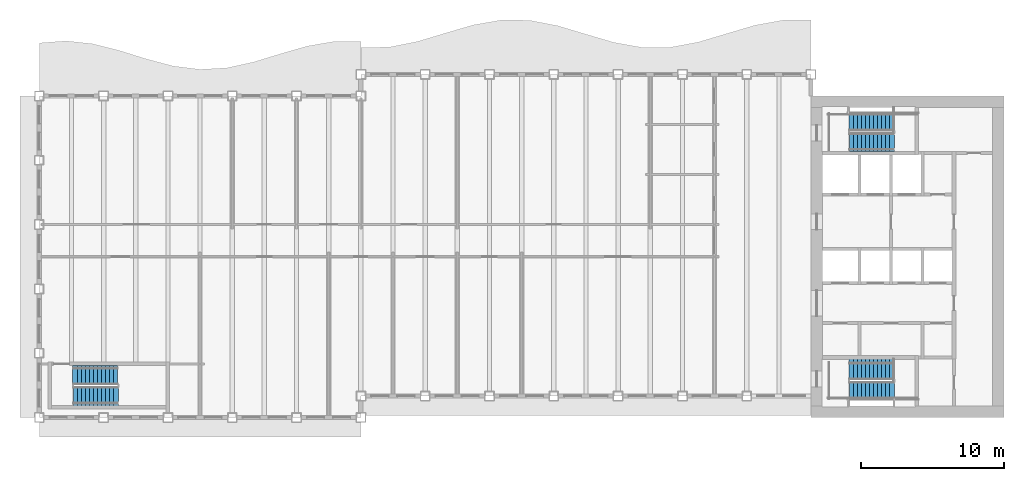
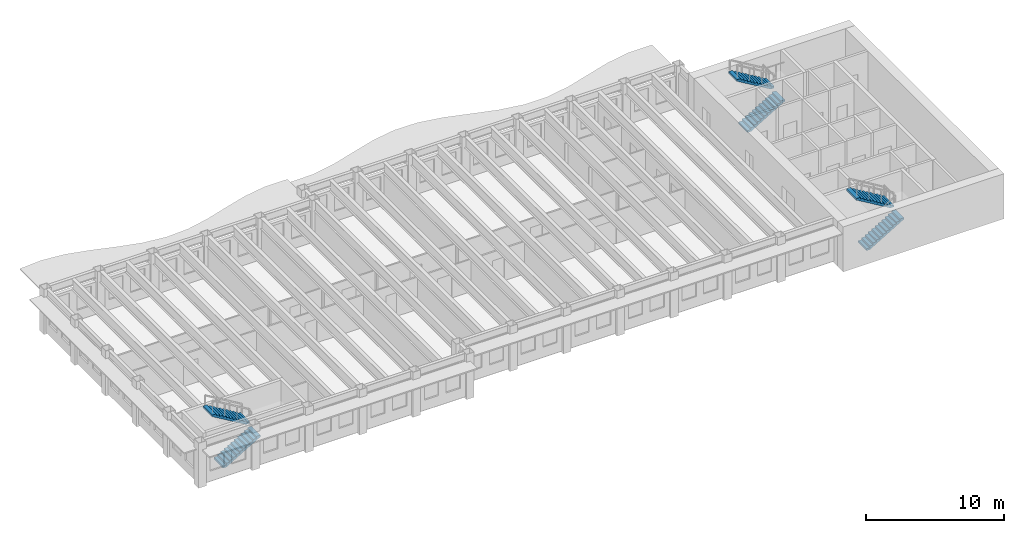
# One storey, part 7 of 12: 6 stair flights, 3 elements without a shape of their own.
"""IFC4 building model written with IfcOpenShell, lengths in metres."""

import ifcopenshell
import ifcopenshell.guid

model = None  # the IFC model being written
_history = None  # IfcOwnerHistory: only IFC2X3 demands one
_inside = {}  # id of a spatial element -> (the spatial element, [elements in it])
_under = {}  # id of a project, library or spatial element -> (it, [spatial elements below it])
_declared = {}  # id of a project -> (the project, [libraries it declares])
_typed = {}  # id of a type object -> (the type object, [elements of that type])
_made_of = {}  # id of a material, layer set ... -> (it, [elements and type objects made of it])


def new_model(schema):
    """Start an empty IFC model of exactly this schema.

    Asked for "IFC4X3", IfcOpenShell would pick the latest addendum, in which some entities
    have other attributes; the version numbers below select the first issue.
    IFC2X3 requires an IfcOwnerHistory on every rooted entity: one is made here for all.
    """
    global model, _history
    if schema == "IFC4X3":
        model = ifcopenshell.file(schema_version=(4, 3, 0, 0))
    else:
        model = ifcopenshell.file(schema=schema)
    _inside.clear()
    _under.clear()
    _declared.clear()
    _typed.clear()
    _made_of.clear()
    _history = None
    if model.schema == "IFC2X3":
        org = make("IfcOrganization", Name="unknown")
        user = make(
            "IfcPersonAndOrganization",
            ThePerson=make("IfcPerson", FamilyName="unknown"),
            TheOrganization=org,
        )
        app = make(
            "IfcApplication",
            ApplicationDeveloper=org,
            Version="unknown",
            ApplicationFullName="unknown",
            ApplicationIdentifier="unknown",
        )
        _history = make(
            "IfcOwnerHistory",
            OwningUser=user,
            OwningApplication=app,
            ChangeAction="ADDED",
            CreationDate=0,
        )
    return model


def make(cls, **values):
    """One entity of the class cls with the attributes given. An attribute that is None is left unset."""
    return model.create_entity(
        cls, **{name: value for name, value in values.items() if value is not None}
    )


def rooted(cls, **values):
    """An entity with a GlobalId (a new one), such as an element, a storey or a relation."""
    return make(cls, GlobalId=ifcopenshell.guid.new(), OwnerHistory=_history, **values)


def si_unit(unit_type, name, prefix=None):
    """IfcSIUnit, for example si_unit("LENGTHUNIT", "METRE", prefix="MILLI")."""
    return make("IfcSIUnit", UnitType=unit_type, Prefix=prefix, Name=name)


def assignment(units):
    """IfcUnitAssignment: the units of a project."""
    return None if units is None else make("IfcUnitAssignment", Units=units)


def point(xyz):
    """IfcCartesianPoint."""
    return None if xyz is None else make("IfcCartesianPoint", Coordinates=xyz)


def direction(xyz):
    """IfcDirection."""
    return None if xyz is None else make("IfcDirection", DirectionRatios=xyz)


def frame(location, z_axis=None, x_axis=None):
    """IfcAxis2Placement3D, a coordinate frame: its origin and axes. An axis left out is left unset."""
    return make(
        "IfcAxis2Placement3D",
        Location=point(location),
        Axis=direction(z_axis),
        RefDirection=direction(x_axis),
    )


def origin():
    """The frame at (0, 0, 0) with its axes left unset."""
    return frame((0.0, 0.0, 0.0))


def place(relative_to, where):
    """IfcLocalPlacement: puts the frame where relative to a parent placement (None: the world)."""
    return make(
        "IfcLocalPlacement", PlacementRelTo=relative_to, RelativePlacement=where
    )


def context(
    kind, dimensions, precision=None, world=None, true_north=None, identifier=None
):
    """IfcGeometricRepresentationContext, for example the 3D "Model" context."""
    return make(
        "IfcGeometricRepresentationContext",
        ContextIdentifier=identifier,
        ContextType=kind,
        CoordinateSpaceDimension=dimensions,
        Precision=precision,
        WorldCoordinateSystem=world,
        TrueNorth=true_north,
    )


def subcontext(parent, identifier, kind, view, scale=None):
    """IfcGeometricRepresentationSubContext, for example "Body" below "Model"."""
    return make(
        "IfcGeometricRepresentationSubContext",
        ContextIdentifier=identifier,
        ContextType=kind,
        ParentContext=parent,
        TargetScale=scale,
        TargetView=view,
    )


def project(units=None, contexts=None):
    """IfcProject with its units and contexts."""
    return rooted(
        "IfcProject",
        Name="project",
        RepresentationContexts=contexts,
        UnitsInContext=assignment(units),
    )


def spatial(cls, under=None, at=None, **own):
    """A site, building, storey or space (cls), placed at a placement, below another one or the project."""
    s = rooted(cls, ObjectPlacement=at, **own)
    if under is not None:
        _under.setdefault(under.id(), (under, []))[1].append(s)
    return s


def polyline(points):
    """IfcPolyline through the points."""
    return make("IfcPolyline", Points=[point(p) for p in points])


def outline(outer, holes=None, kind="AREA"):
    """IfcArbitraryClosedProfileDef: a profile drawn as a closed curve; with holes, ...WithVoids."""
    if holes is None:
        return make("IfcArbitraryClosedProfileDef", ProfileType=kind, OuterCurve=outer)
    return make(
        "IfcArbitraryProfileDefWithVoids",
        ProfileType=kind,
        OuterCurve=outer,
        InnerCurves=holes,
    )


def extrude(swept, where, along, depth):
    """IfcExtrudedAreaSolid: the profile swept, set in the frame where, extruded along a direction by depth."""
    return make(
        "IfcExtrudedAreaSolid",
        SweptArea=swept,
        Position=where,
        ExtrudedDirection=direction(along),
        Depth=depth,
    )


def shape(context_of_items, identifier, shape_type, items):
    """IfcShapeRepresentation: the items that make up one representation, for example the "Body"."""
    return make(
        "IfcShapeRepresentation",
        ContextOfItems=context_of_items,
        RepresentationIdentifier=identifier,
        RepresentationType=shape_type,
        Items=items,
    )


def material(Name=None, Category=None):
    """IfcMaterial."""
    return make("IfcMaterial", Name=Name, Category=Category)


def made_of(thing, what):
    """Note that an element or type object is made of a material, layer set ...; save() writes the relation."""
    if what is not None:
        _made_of.setdefault(what.id(), (what, []))[1].append(thing)
    return thing


def type_object(cls, material=None, **own):
    """A type object (cls), such as IfcWallType, which elements share."""
    return made_of(rooted(cls, **own), material)


def element(
    cls,
    number,
    at=None,
    inside=None,
    cuts=None,
    type_object=None,
    material=None,
    context=None,
    identifier="Body",
    shape_type=None,
    held_by="IfcProductDefinitionShape",
    body=None,
    shapes=None,
    **own,
):
    """One element of the class cls, such as IfcWall. Its Tag is "e" and its number.

    at: its placement. inside: the storey or other place that contains it. cuts: it is an
    opening in that element (IfcRelVoidsElement). A single representation is given by context,
    identifier, shape_type and body (its items); several are given by shapes. held_by: the class
    of the entity that holds the representations. save() writes the other relations.
    """
    e = rooted(cls, Tag="e%d" % number, ObjectPlacement=at, **own)
    if body is not None:
        shapes = [shape(context, identifier, shape_type, body)]
    if shapes is not None:
        e.Representation = make(held_by, Representations=shapes)
    if inside is not None:
        _inside.setdefault(inside.id(), (inside, []))[1].append(e)
    if cuts is not None:
        rooted(
            "IfcRelVoidsElement", RelatingBuildingElement=cuts, RelatedOpeningElement=e
        )
    if type_object is not None:
        _typed.setdefault(type_object.id(), (type_object, []))[1].append(e)
    return made_of(e, material)


def aggregate(whole, parts):
    """IfcRelAggregates: a whole, such as a stair, and the parts it consists of."""
    return rooted("IfcRelAggregates", RelatingObject=whole, RelatedObjects=parts)


def save(model, path):
    """Write the relations noted so far, then the file.

    IfcRelAggregates (storeys below a building ...), IfcRelContainedInSpatialStructure (elements
    in a storey), IfcRelDefinesByType, IfcRelAssociatesMaterial and IfcRelDeclares: one each for
    every whole, place, type object, material and project.
    """
    for whole, parts in _under.values():
        aggregate(whole, parts)
    for where, things in _inside.values():
        rooted(
            "IfcRelContainedInSpatialStructure",
            RelatedElements=things,
            RelatingStructure=where,
        )
    for kind, things in _typed.values():
        rooted("IfcRelDefinesByType", RelatedObjects=things, RelatingType=kind)
    for what, things in _made_of.values():
        rooted("IfcRelAssociatesMaterial", RelatedObjects=things, RelatingMaterial=what)
    for by, libraries in _declared.values():
        rooted("IfcRelDeclares", RelatingContext=by, RelatedDefinitions=libraries)
    model.write(path)


model = new_model("IFC4")

# Units and contexts
model_context = context("Model", 3, precision=1e-05, world=origin(), true_north=direction((0.0, 1.0)))
body_context = subcontext(model_context, "Body", "Model", "MODEL_VIEW")
ifc_project = project(units=[si_unit("LENGTHUNIT", "METRE"), si_unit("AREAUNIT", "SQUARE_METRE"), si_unit("VOLUMEUNIT", "CUBIC_METRE"), si_unit("PLANEANGLEUNIT", "RADIAN"), si_unit("MASSUNIT", "GRAM", prefix="KILO")], contexts=[model_context])

# Site, building, storey
site_placement = place(None, origin())
site = spatial("IfcSite", under=ifc_project, at=site_placement, CompositionType="ELEMENT")
building_placement = place(site_placement, origin())
building = spatial("IfcBuilding", under=site, at=building_placement, Name="Sennacour Bend Tower", CompositionType="ELEMENT")
storey_placement = place(building_placement, frame((0.0, 0.0, 265.0)))
storey = spatial("IfcBuildingStorey", under=building, at=storey_placement, Name="L61", CompositionType="ELEMENT", Elevation=265.0)

# Stair, stair flights
ifc_material = material(Name="Concrete C40/50", Category="concrete")
stair_type = type_object("IfcStairType", Name="ST-DOGLEG", PredefinedType="HALF_TURN_STAIR", material=ifc_material)
stair_1_placement = place(storey_placement, origin())
stair_1 = element("IfcStair", 1, at=stair_1_placement, inside=storey, type_object=stair_type, Name="L61 Exit stair A1", PredefinedType="HALF_TURN_STAIR")
stair_flight_type = type_object("IfcStairFlightType", Name="SFL-RC", PredefinedType="STRAIGHT", material=ifc_material)
stair_flight_1_placement = place(storey_placement, frame((56.699951171875, 1.89990234375, 0.0), z_axis=(0.0, 0.0, 1.0), x_axis=(1.0, 0.0, 0.0)))
stair_flight_1 = element("IfcStairFlight", 2, at=stair_flight_1_placement, type_object=stair_flight_type, Name="SA1 flight 1", NumberOfRisers=12, NumberOfTreads=11, PredefinedType="STRAIGHT", RiserHeight=0.166666667, TreadLength=0.28, context=body_context, shape_type="SweptSolid", body=[
    extrude(outline(polyline([(0.0, 0.0), (0.0, 0.166748046875), (0.280029296875, 0.166748046875), (0.280029296875, 0.333251953125), (0.56005859375, 0.333251953125), (0.56005859375, 0.5), (0.840087890625, 0.5), (0.840087890625, 0.666748046875), (1.1201171875, 0.666748046875), (1.1201171875, 0.833251953125), (1.39990234375, 0.833251953125), (1.39990234375, 1.0), (1.679931640625, 1.0), (1.679931640625, 1.166748046875), (1.9599609375, 1.166748046875), (1.9599609375, 1.333251953125), (2.239990234375, 1.333251953125), (2.239990234375, 1.5), (2.52001953125, 1.5), (2.52001953125, 1.666748046875), (2.800048828125, 1.666748046875), (2.800048828125, 1.833251953125), (3.080078125, 1.833251953125), (3.139892578125, 1.833251953125), (3.139892578125, 1.658935546875), (3.080078125, 1.658935546875), (0.29296875, 0.0), (0.0, 0.0)])), frame((0.0, 0.60009765625, 0.0), z_axis=(0.0, -1.0, 0.0), x_axis=(1.0, 0.0, 0.0)), (0.0, 0.0, 1.0), 1.199951171875),
])
stair_flight_2_placement = place(storey_placement, frame((59.780029296875, 3.37744140625, 2.0), z_axis=(0.0, 0.0, 1.0), x_axis=(-1.0, 0.0, 0.0)))
stair_flight_2 = element("IfcStairFlight", 3, at=stair_flight_2_placement, type_object=stair_flight_type, Name="SA1 flight 2", NumberOfRisers=12, NumberOfTreads=11, PredefinedType="STRAIGHT", RiserHeight=0.166666667, TreadLength=0.28, context=body_context, shape_type="SweptSolid", body=[
    extrude(outline(polyline([(0.0, 0.0), (0.0, 0.166748046875), (0.280029296875, 0.166748046875), (0.280029296875, 0.333251953125), (0.56005859375, 0.333251953125), (0.56005859375, 0.5), (0.840087890625, 0.5), (0.840087890625, 0.666748046875), (1.1201171875, 0.666748046875), (1.1201171875, 0.833251953125), (1.39990234375, 0.833251953125), (1.39990234375, 1.0), (1.679931640625, 1.0), (1.679931640625, 1.166748046875), (1.9599609375, 1.166748046875), (1.9599609375, 1.333251953125), (2.239990234375, 1.333251953125), (2.239990234375, 1.5), (2.52001953125, 1.5), (2.52001953125, 1.666748046875), (2.800048828125, 1.666748046875), (2.800048828125, 1.833251953125), (3.080078125, 1.833251953125), (3.139892578125, 1.833251953125), (3.139892578125, 1.658935546875), (3.080078125, 1.658935546875), (0.29296875, 0.0), (0.0, 0.0)])), frame((0.0, 0.7275390625, 0.0), z_axis=(0.0, -1.0, 0.0), x_axis=(1.0, 0.0, 0.0)), (0.0, 0.0, 1.0), 1.455078125),
])
aggregate(stair_1, [stair_flight_1, stair_flight_2])

stair_2_placement = place(storey_placement, origin())
stair_2 = element("IfcStair", 4, at=stair_2_placement, inside=storey, type_object=stair_type, Name="L61 Exit stair A2", PredefinedType="HALF_TURN_STAIR")
stair_flight_3_placement = place(storey_placement, frame((56.699951171875, 19.24755859375, 0.0), z_axis=(0.0, 0.0, 1.0), x_axis=(1.0, 0.0, 0.0)))
stair_flight_3 = element("IfcStairFlight", 5, at=stair_flight_3_placement, type_object=stair_flight_type, Name="SA2 flight 1", NumberOfRisers=12, NumberOfTreads=11, PredefinedType="STRAIGHT", RiserHeight=0.166666667, TreadLength=0.28, context=body_context, shape_type="SweptSolid", body=[
    extrude(outline(polyline([(0.0, 0.0), (0.0, 0.166748046875), (0.280029296875, 0.166748046875), (0.280029296875, 0.333251953125), (0.56005859375, 0.333251953125), (0.56005859375, 0.5), (0.840087890625, 0.5), (0.840087890625, 0.666748046875), (1.1201171875, 0.666748046875), (1.1201171875, 0.833251953125), (1.39990234375, 0.833251953125), (1.39990234375, 1.0), (1.679931640625, 1.0), (1.679931640625, 1.166748046875), (1.9599609375, 1.166748046875), (1.9599609375, 1.333251953125), (2.239990234375, 1.333251953125), (2.239990234375, 1.5), (2.52001953125, 1.5), (2.52001953125, 1.666748046875), (2.800048828125, 1.666748046875), (2.800048828125, 1.833251953125), (3.080078125, 1.833251953125), (3.139892578125, 1.833251953125), (3.139892578125, 1.658935546875), (3.080078125, 1.658935546875), (0.29296875, 0.0), (0.0, 0.0)])), frame((0.0, 0.65234375, 0.0), z_axis=(0.0, -1.0, 0.0), x_axis=(1.0, 0.0, 0.0)), (0.0, 0.0, 1.0), 1.304931640625),
])
stair_flight_4_placement = place(storey_placement, frame((59.780029296875, 20.64990234375, 2.0), z_axis=(0.0, 0.0, 1.0), x_axis=(-1.0, 0.0, 0.0)))
stair_flight_4 = element("IfcStairFlight", 6, at=stair_flight_4_placement, type_object=stair_flight_type, Name="SA2 flight 2", NumberOfRisers=12, NumberOfTreads=11, PredefinedType="STRAIGHT", RiserHeight=0.166666667, TreadLength=0.28, context=body_context, shape_type="SweptSolid", body=[
    extrude(outline(polyline([(0.0, 0.0), (0.0, 0.166748046875), (0.280029296875, 0.166748046875), (0.280029296875, 0.333251953125), (0.56005859375, 0.333251953125), (0.56005859375, 0.5), (0.840087890625, 0.5), (0.840087890625, 0.666748046875), (1.1201171875, 0.666748046875), (1.1201171875, 0.833251953125), (1.39990234375, 0.833251953125), (1.39990234375, 1.0), (1.679931640625, 1.0), (1.679931640625, 1.166748046875), (1.9599609375, 1.166748046875), (1.9599609375, 1.333251953125), (2.239990234375, 1.333251953125), (2.239990234375, 1.5), (2.52001953125, 1.5), (2.52001953125, 1.666748046875), (2.800048828125, 1.666748046875), (2.800048828125, 1.833251953125), (3.080078125, 1.833251953125), (3.139892578125, 1.833251953125), (3.139892578125, 1.658935546875), (3.080078125, 1.658935546875), (0.29296875, 0.0), (0.0, 0.0)])), frame((0.0, 0.60009765625, 0.0), z_axis=(0.0, -1.0, 0.0), x_axis=(1.0, 0.0, 0.0)), (0.0, 0.0, 1.0), 1.199951171875),
])
aggregate(stair_2, [stair_flight_3, stair_flight_4])

stair_3_placement = place(storey_placement, origin())
stair_3 = element("IfcStair", 7, at=stair_3_placement, inside=storey, type_object=stair_type, Name="L61 Exit stair K1", PredefinedType="HALF_TURN_STAIR")
stair_flight_5_placement = place(storey_placement, frame((2.39990234375, 1.485107421875, 0.0), z_axis=(0.0, 0.0, 1.0), x_axis=(1.0, 0.0, 0.0)))
stair_flight_5 = element("IfcStairFlight", 8, at=stair_flight_5_placement, type_object=stair_flight_type, Name="SK1 flight 1", NumberOfRisers=12, NumberOfTreads=11, PredefinedType="STRAIGHT", RiserHeight=0.166666667, TreadLength=0.28, context=body_context, shape_type="SweptSolid", body=[
    extrude(outline(polyline([(0.0, 0.0), (0.0, 0.166748046875), (0.280029296875, 0.166748046875), (0.280029296875, 0.333251953125), (0.56005859375, 0.333251953125), (0.56005859375, 0.5), (0.840087890625, 0.5), (0.840087890625, 0.666748046875), (1.1201171875, 0.666748046875), (1.1201171875, 0.833251953125), (1.39990234375, 0.833251953125), (1.39990234375, 1.0), (1.679931640625, 1.0), (1.679931640625, 1.166748046875), (1.9599609375, 1.166748046875), (1.9599609375, 1.333251953125), (2.239990234375, 1.333251953125), (2.239990234375, 1.5), (2.52001953125, 1.5), (2.52001953125, 1.666748046875), (2.800048828125, 1.666748046875), (2.800048828125, 1.833251953125), (3.080078125, 1.833251953125), (3.139892578125, 1.833251953125), (3.139892578125, 1.658935546875), (3.080078125, 1.658935546875), (0.29296875, 0.0), (0.0, 0.0)])), frame((0.0, 0.6650390625, 0.0), z_axis=(0.0, -1.0, 0.0), x_axis=(1.0, 0.0, 0.0)), (0.0, 0.0, 1.0), 1.330078125),
])
stair_flight_6_placement = place(storey_placement, frame((5.47998046875, 2.9775390625, 2.0), z_axis=(0.0, 0.0, 1.0), x_axis=(-1.0, 0.0, 0.0)))
stair_flight_6 = element("IfcStairFlight", 9, at=stair_flight_6_placement, type_object=stair_flight_type, Name="SK1 flight 2", NumberOfRisers=12, NumberOfTreads=11, PredefinedType="STRAIGHT", RiserHeight=0.166666667, TreadLength=0.28, context=body_context, shape_type="SweptSolid", body=[
    extrude(outline(polyline([(0.0, 0.0), (0.0, 0.166748046875), (0.280029296875, 0.166748046875), (0.280029296875, 0.333251953125), (0.56005859375, 0.333251953125), (0.56005859375, 0.5), (0.840087890625, 0.5), (0.840087890625, 0.666748046875), (1.1201171875, 0.666748046875), (1.1201171875, 0.833251953125), (1.39990234375, 0.833251953125), (1.39990234375, 1.0), (1.679931640625, 1.0), (1.679931640625, 1.166748046875), (1.9599609375, 1.166748046875), (1.9599609375, 1.333251953125), (2.239990234375, 1.333251953125), (2.239990234375, 1.5), (2.52001953125, 1.5), (2.52001953125, 1.666748046875), (2.800048828125, 1.666748046875), (2.800048828125, 1.833251953125), (3.080078125, 1.833251953125), (3.139892578125, 1.833251953125), (3.139892578125, 1.658935546875), (3.080078125, 1.658935546875), (0.29296875, 0.0), (0.0, 0.0)])), frame((0.0, 0.677490234375, 0.0), z_axis=(0.0, -1.0, 0.0), x_axis=(1.0, 0.0, 0.0)), (0.0, 0.0, 1.0), 1.35498046875),
])
aggregate(stair_3, [stair_flight_5, stair_flight_6])

save(model, "model.ifc")
